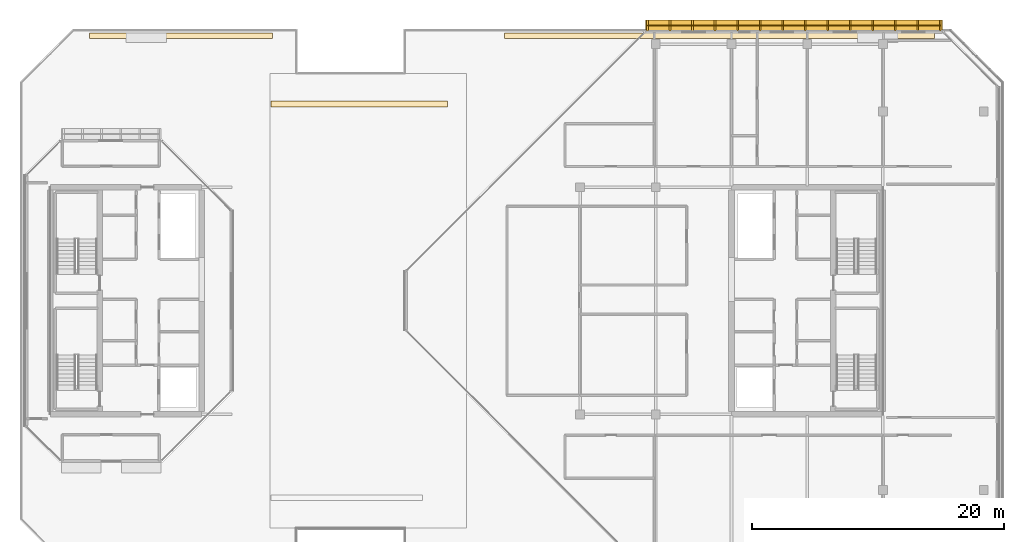
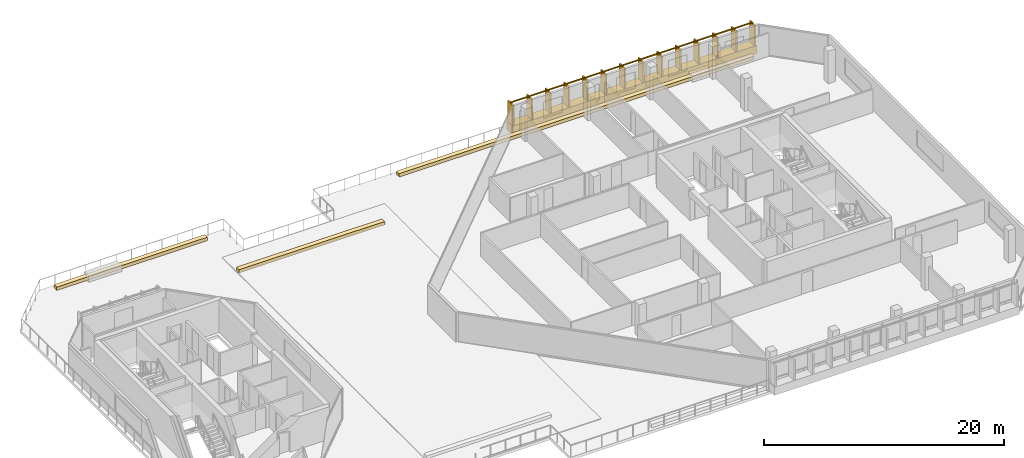
# One storey, part 29 of 30: 4 coverings, 1 railing.
"""IFC4 building model written with IfcOpenShell, lengths in metres."""

from ifc_helpers import new_model, si_unit, direction, frame, origin, origin_2d, place, context, subcontext, project, spatial, polyline, rectangle, outline, extrude, material, layer, layer_set, type_object, element, save


model = new_model("IFC4")

# Units and contexts
model_context = context("Model", 3, precision=1e-05, world=origin(), true_north=direction((0.0, 1.0)))
body_context = subcontext(model_context, "Body", "Model", "MODEL_VIEW")
ifc_project = project(units=[si_unit("LENGTHUNIT", "METRE"), si_unit("AREAUNIT", "SQUARE_METRE"), si_unit("VOLUMEUNIT", "CUBIC_METRE"), si_unit("PLANEANGLEUNIT", "RADIAN"), si_unit("MASSUNIT", "GRAM", prefix="KILO")], contexts=[model_context])

# Site, building, storey
site_placement = place(None, origin())
site = spatial("IfcSite", under=ifc_project, at=site_placement, CompositionType="ELEMENT")
building_placement = place(site_placement, origin())
building = spatial("IfcBuilding", under=site, at=building_placement, Name="Tanjung Sevakor Pilgrim Tower", CompositionType="ELEMENT")
storey_placement = place(building_placement, frame((0.0, 0.0, 229.35009765625)))
storey = spatial("IfcBuildingStorey", under=building, at=storey_placement, Name="L64", CompositionType="ELEMENT", Elevation=229.35009765625)

# Coverings
ifc_material_1 = material(Name="Reconstructed Limestone Cladding", Category="masonry")
ifc_layer_1 = layer(ifc_material_1, 0.044921875)
ifc_layer_set_1 = layer_set([ifc_layer_1], Name="COV-CLAD-LIMESTONE")
covering_type_1 = type_object("IfcCoveringType", Name="COV-CLAD-LIMESTONE", PredefinedType="CLADDING", material=ifc_layer_set_1)
covering_1_placement = place(storey_placement, frame((82.949951171875, 55.429931640625, 0.009765625), z_axis=(0.0, 0.0, 1.0), x_axis=(-1.0, 0.0, 0.0)))
element("IfcCovering", 1, at=covering_1_placement, inside=storey, type_object=covering_type_1, Name="L64 Warm Limestone Sill Spandrel EW-L64-EAST-5-1", PredefinedType="CLADDING", context=body_context, shape_type="SweptSolid", body=[
    extrude(rectangle(XDim=23.52880859375, YDim=0.860107421875, at=origin_2d()), origin(), (0.0, 0.0, 1.0), 0.840087890625),
])
ifc_material_2 = material(Name="Vegetated Modular Planter Assembly", Category="organic")
ifc_layer_2 = layer(ifc_material_2, 0.35009765625)
ifc_layer_set_2 = layer_set([ifc_layer_2], Name="COV-GRN-TROUGH")
covering_type_2 = type_object("IfcCoveringType", Name="COV-GRN-TROUGH", PredefinedType="CLADDING", material=ifc_layer_set_2)
covering_2_placement = place(storey_placement, origin())
element("IfcCovering", 2, at=covering_2_placement, inside=storey, type_object=covering_type_2, Name="L64 Planted Landscape Hedge Trough SGRN-L64-NW", PredefinedType="CLADDING", context=body_context, shape_type="SweptSolid", body=[
    extrude(outline(polyline([(27.10009765625, 54.3798828125), (41.60009765625, 54.3798828125), (41.60009765625, 54.820068359375), (27.10009765625, 54.820068359375), (27.10009765625, 54.3798828125)])), origin(), (0.0, 0.0, 1.0), 0.349853515625),
])
covering_3_placement = place(storey_placement, origin())
element("IfcCovering", 3, at=covering_3_placement, inside=storey, type_object=covering_type_2, Name="L64 Planted Landscape Hedge Trough SGRN-L64-NE", PredefinedType="CLADDING", context=body_context, shape_type="SweptSolid", body=[
    extrude(outline(polyline([(60.0, 54.3798828125), (94.10009765625, 54.3798828125), (94.10009765625, 54.820068359375), (60.0, 54.820068359375), (60.0, 54.3798828125)])), origin(), (0.0, 0.0, 1.0), 0.349853515625),
])
covering_4_placement = place(storey_placement, origin())
element("IfcCovering", 4, at=covering_4_placement, inside=storey, type_object=covering_type_2, Name="L64 Planted Landscape Hedge Trough SGRN-L64-CLEFT-N", PredefinedType="CLADDING", context=body_context, shape_type="SweptSolid", body=[
    extrude(outline(polyline([(41.5, 48.97998046875), (55.5, 48.97998046875), (55.5, 49.419921875), (41.5, 49.419921875), (41.5, 48.97998046875)])), origin(), (0.0, 0.0, 1.0), 0.349853515625),
])

# Railing
ifc_material_3 = material(Name="Anodised Bronze Aluminium 6063-T6", Category="aluminium")
railing_type = type_object("IfcRailingType", Name="RL-FIN-SCREEN", PredefinedType="BALUSTRADE", material=ifc_material_3)
railing_placement = place(storey_placement, frame((94.554443359375, 55.425048828125, 0.83984375)))
element("IfcRailing", 5, at=railing_placement, inside=storey, type_object=railing_type, Name="L64 Vertical Bronze-Gold Solar Fin Screen FNSCR-EW-L64-EAST-5-1", PredefinedType="BALUSTRADE", context=body_context, shape_type="SweptSolid", body=[
    extrude(rectangle(XDim=0.105, YDim=0.105), frame((0.0, 0.0, 2.157470703125), z_axis=(-1.0, 0.0, 0.0), x_axis=(0.0, -1.0, 0.0)), (0.0, 0.0, 1.0), 23.208740234375),
    extrude(rectangle(XDim=0.14, YDim=0.85), origin(), (0.0, 0.0, 1.0), 2.10498046875),
    extrude(rectangle(XDim=0.14, YDim=0.85), frame((-1.785400390625, 0.0, 0.0)), (0.0, 0.0, 1.0), 2.10498046875),
    extrude(rectangle(XDim=0.14, YDim=0.85), frame((-3.570556640625, 0.0, 0.0)), (0.0, 0.0, 1.0), 2.10498046875),
    extrude(rectangle(XDim=0.14, YDim=0.85), frame((-5.35595703125, 0.0, 0.0)), (0.0, 0.0, 1.0), 2.10498046875),
    extrude(rectangle(XDim=0.14, YDim=0.85), frame((-7.14111328125, 0.0, 0.0)), (0.0, 0.0, 1.0), 2.10498046875),
    extrude(rectangle(XDim=0.14, YDim=0.85), frame((-8.926513671875, 0.0, 0.0)), (0.0, 0.0, 1.0), 2.10498046875),
    extrude(rectangle(XDim=0.14, YDim=0.85), frame((-10.711669921875, 0.0, 0.0)), (0.0, 0.0, 1.0), 2.10498046875),
    extrude(rectangle(XDim=0.14, YDim=0.85), frame((-12.4970703125, 0.0, 0.0)), (0.0, 0.0, 1.0), 2.10498046875),
    extrude(rectangle(XDim=0.14, YDim=0.85), frame((-14.2822265625, 0.0, 0.0)), (0.0, 0.0, 1.0), 2.10498046875),
    extrude(rectangle(XDim=0.14, YDim=0.85), frame((-16.067626953125, 0.0, 0.0)), (0.0, 0.0, 1.0), 2.10498046875),
    extrude(rectangle(XDim=0.14, YDim=0.85), frame((-17.852783203125, 0.0, 0.0)), (0.0, 0.0, 1.0), 2.10498046875),
    extrude(rectangle(XDim=0.14, YDim=0.85), frame((-19.63818359375, 0.0, 0.0)), (0.0, 0.0, 1.0), 2.10498046875),
    extrude(rectangle(XDim=0.14, YDim=0.85), frame((-21.42333984375, 0.0, 0.0)), (0.0, 0.0, 1.0), 2.10498046875),
    extrude(rectangle(XDim=0.14, YDim=0.85), frame((-23.208740234375, 0.0, 0.0)), (0.0, 0.0, 1.0), 2.10498046875),
])

save(model, "model.ifc")
